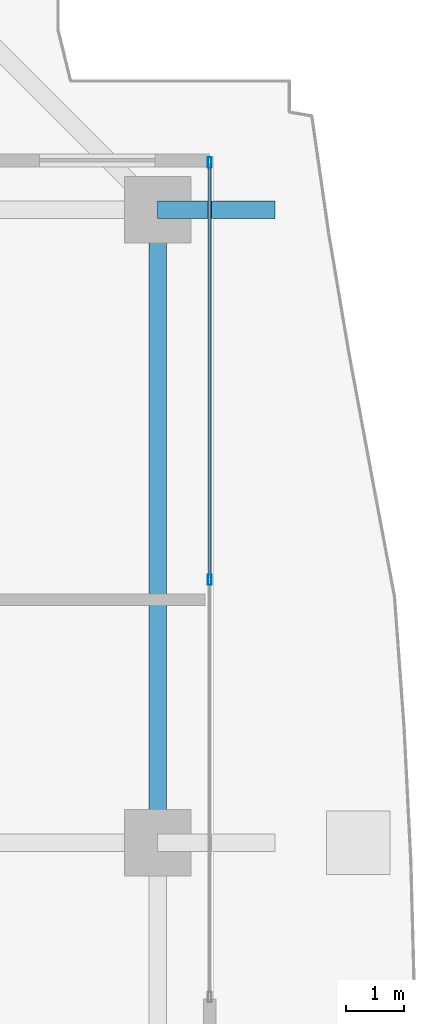
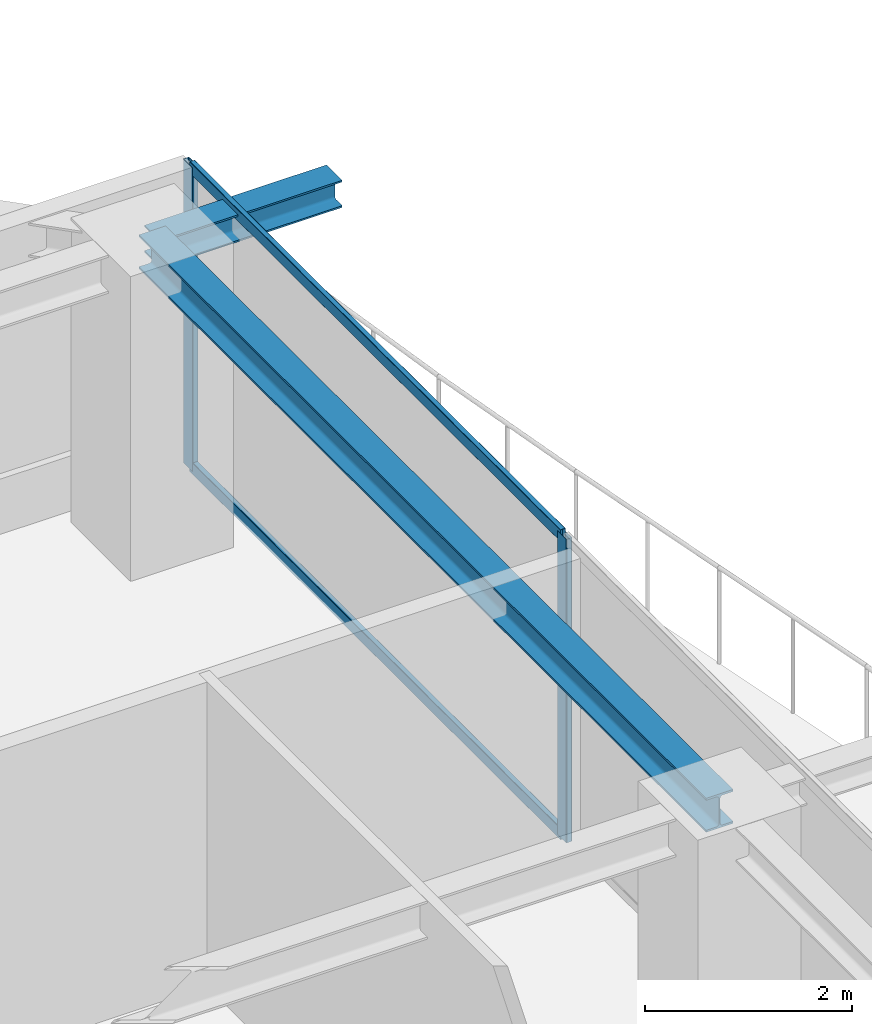
# One storey, part 23 of 37: 4 members, 2 beams, 1 element without a shape of its own.
"""IFC4 building model written with IfcOpenShell, lengths in metres."""

from ifc_helpers import new_model, si_unit, direction, frame, origin, origin_2d, place, context, subcontext, project, spatial, hollow_rectangle, i_section, extrude, source, transform, mapped, material, layer, layer_set, material_profile, profile_set, type_object, element, aggregate, save


model = new_model("IFC4")

# Units and contexts
model_context = context("Model", 3, precision=1e-05, world=origin(), true_north=direction((0.0, 1.0)))
body_context = subcontext(model_context, "Body", "Model", "MODEL_VIEW")
ifc_project = project(units=[si_unit("LENGTHUNIT", "METRE"), si_unit("AREAUNIT", "SQUARE_METRE"), si_unit("VOLUMEUNIT", "CUBIC_METRE"), si_unit("PLANEANGLEUNIT", "RADIAN"), si_unit("MASSUNIT", "GRAM", prefix="KILO")], contexts=[model_context])

# Site, building, storey
site_placement = place(None, origin())
site = spatial("IfcSite", under=ifc_project, at=site_placement, CompositionType="ELEMENT")
building_placement = place(site_placement, origin())
building = spatial("IfcBuilding", under=site, at=building_placement, Name="Serunith Strait Residences", CompositionType="ELEMENT")
storey_placement = place(building_placement, frame((0.0, 0.0, 233.550048828125)))
storey = spatial("IfcBuildingStorey", under=building, at=storey_placement, Name="L58", CompositionType="ELEMENT", Elevation=233.550048828125)

# Beams
ifc_material_1 = material(Name="Steel S355J2", Category="steel")
ifc_material_profile_1 = material_profile(ifc_material_1, i_section(OverallWidth=0.300048828125, OverallDepth=0.39990234375, WebThickness=0.013427734375, FlangeThickness=0.02392578125, FilletRadius=0.027099609375, at=origin_2d()), Name="HEB 400")
ifc_profile_set_1 = profile_set([ifc_material_profile_1], Name="Steel S355J2")
beam_type_1 = type_object("IfcBeamType", Name="BM-HEB400", PredefinedType="BEAM", material=ifc_profile_set_1)
shared_shape_1 = source(origin(), body_context, "Body", "SweptSolid", [
    extrude(i_section(OverallWidth=0.300048828125, OverallDepth=0.39990234375, WebThickness=0.013427734375, FlangeThickness=0.02392578125, FilletRadius=0.027099609375, at=origin_2d()), origin(), (0.0, 0.0, 1.0), 10.9501953125),
])
beam_1_placement = place(storey_placement, frame((56.5, 29.39990234375, 3.386962890625), z_axis=(0.0, 1.0, 0.0), x_axis=(-1.0, 0.0, 0.0)))
element("IfcBeam", 1, at=beam_1_placement, inside=storey, type_object=beam_type_1, Name="L58 Perimeter Ring Beam 07", PredefinedType="BEAM", context=body_context, shape_type="MappedRepresentation", body=[
    mapped(shared_shape_1, transform((0.0, 0.0, 0.0), scale=1.0)),
])
ifc_material_profile_2 = material_profile(ifc_material_1, i_section(OverallWidth=0.300048828125, OverallDepth=0.320068359375, WebThickness=0.011474609375, FlangeThickness=0.0205078125, FilletRadius=0.027099609375, at=origin_2d()), Name="HEB 320")
ifc_profile_set_2 = profile_set([ifc_material_profile_2], Name="Steel S355J2")
beam_type_2 = type_object("IfcBeamType", Name="BM-HEB320", PredefinedType="BEAM", material=ifc_profile_set_2)
shared_shape_2 = source(origin(), body_context, "Body", "SweptSolid", [
    extrude(i_section(OverallWidth=0.300048828125, OverallDepth=0.320068359375, WebThickness=0.011474609375, FlangeThickness=0.0205078125, FilletRadius=0.027099609375, at=origin_2d()), origin(), (0.0, 0.0, 1.0), 2.030029296875),
])
beam_2_placement = place(storey_placement, frame((56.5, 40.35009765625, 3.39697265625), z_axis=(1.0, 0.0, 0.0), x_axis=(0.0, 1.0, 0.0)))
element("IfcBeam", 2, at=beam_2_placement, inside=storey, type_object=beam_type_2, Name="L59 Cantilevered Balcony Rib TC-E4", PredefinedType="BEAM", context=body_context, shape_type="MappedRepresentation", body=[
    mapped(shared_shape_2, transform((0.0, 0.0, 0.0), scale=1.0)),
])

# Curtain wall, members
ifc_material_2 = material(Name="Pale-Champagne Anodised Aluminium", Category="aluminium")
ifc_layer = layer(ifc_material_2, 0.199951171875, Name="Pale-Champagne Anodised Aluminium")
ifc_layer_set = layer_set([ifc_layer], Name="Pale-Champagne Anodised Aluminium")
curtain_wall_type = type_object("IfcCurtainWallType", Name="CW-SYS4", PredefinedType="NOTDEFINED", material=ifc_layer_set)
curtain_wall_placement = place(storey_placement, origin())
curtain_wall = element("IfcCurtainWall", 3, at=curtain_wall_placement, inside=storey, type_object=curtain_wall_type, Name="L58 E Unitised Fritted Curtain Wall", PredefinedType="NOTDEFINED")
ifc_material_profile_3 = material_profile(ifc_material_2, hollow_rectangle(XDim=0.06494140625, YDim=0.179931640625, WallThickness=0.00341796875, InnerFilletRadius=0.00537109375, OuterFilletRadius=0.0087890625, at=origin_2d()), Name="ALU 180x65x3.5")
ifc_profile_set_3 = profile_set([ifc_material_profile_3], Name="Pale-Champagne Anodised Aluminium")
member_type_1 = type_object("IfcMemberType", Name="CW-SYS4-MULL", PredefinedType="MULLION", material=ifc_profile_set_3)
shared_shape_3 = source(origin(), body_context, "Body", "SweptSolid", [
    extrude(hollow_rectangle(XDim=0.06494140625, YDim=0.179931640625, WallThickness=0.00341796875, InnerFilletRadius=0.00537109375, OuterFilletRadius=0.0087890625, at=origin_2d()), origin(), (0.0, 0.0, 1.0), 3.574951171875),
])
member_1_placement = place(storey_placement, frame((57.39990234375, 33.949951171875, 0.0), z_axis=(0.0, 0.0, 1.0), x_axis=(-1.0, 0.0, 0.0)))
member_1 = element("IfcMember", 4, at=member_1_placement, type_object=member_type_1, Name="CW-4 mullion 2", PredefinedType="MULLION", context=body_context, shape_type="MappedRepresentation", body=[
    mapped(shared_shape_3, transform((0.0, 0.0, 0.0), scale=1.0)),
])
member_2_placement = place(storey_placement, frame((57.39990234375, 41.16748046875, 0.0), z_axis=(0.0, 0.0, 1.0), x_axis=(-1.0, 0.0, 0.0)))
member_2 = element("IfcMember", 5, at=member_2_placement, type_object=member_type_1, Name="CW-4 mullion 3", PredefinedType="MULLION", context=body_context, shape_type="MappedRepresentation", body=[
    mapped(shared_shape_3, transform((0.0, 0.0, 0.0), scale=1.0)),
])
ifc_material_profile_4 = material_profile(ifc_material_2, hollow_rectangle(XDim=0.06005859375, YDim=0.139892578125, WallThickness=0.00341796875, InnerFilletRadius=0.00537109375, OuterFilletRadius=0.0087890625, at=origin_2d()), Name="ALU 140x60x3.5")
ifc_profile_set_4 = profile_set([ifc_material_profile_4], Name="Pale-Champagne Anodised Aluminium")
member_type_2 = type_object("IfcMemberType", Name="CW-SYS4-TRAN", PredefinedType="USERDEFINED", material=ifc_profile_set_4)
shared_shape_4 = source(origin(), body_context, "Body", "SweptSolid", [
    extrude(hollow_rectangle(XDim=0.06005859375, YDim=0.139892578125, WallThickness=0.00341796875, InnerFilletRadius=0.00537109375, OuterFilletRadius=0.0087890625, at=origin_2d()), origin(), (0.0, 0.0, 1.0), 7.152587890625),
])
member_3_placement = place(storey_placement, frame((57.39990234375, 33.982421875, 0.030029296875), z_axis=(0.0, 1.0, 0.0), x_axis=(-1.0, 0.0, 0.0)))
member_3 = element("IfcMember", 6, at=member_3_placement, type_object=member_type_2, Name="CW-4 transom 2.1", ObjectType="TRANSOM", PredefinedType="USERDEFINED", context=body_context, shape_type="MappedRepresentation", body=[
    mapped(shared_shape_4, transform((0.0, 0.0, 0.0), scale=1.0)),
])
member_4_placement = place(storey_placement, frame((57.39990234375, 33.982421875, 3.544921875), z_axis=(0.0, 1.0, 0.0), x_axis=(-1.0, 0.0, 0.0)))
member_4 = element("IfcMember", 7, at=member_4_placement, type_object=member_type_2, Name="CW-4 transom 2.2", ObjectType="TRANSOM", PredefinedType="USERDEFINED", context=body_context, shape_type="MappedRepresentation", body=[
    mapped(shared_shape_4, transform((0.0, 0.0, 0.0), scale=1.0)),
])
aggregate(curtain_wall, [member_1, member_2, member_3, member_4])

save(model, "model.ifc")
